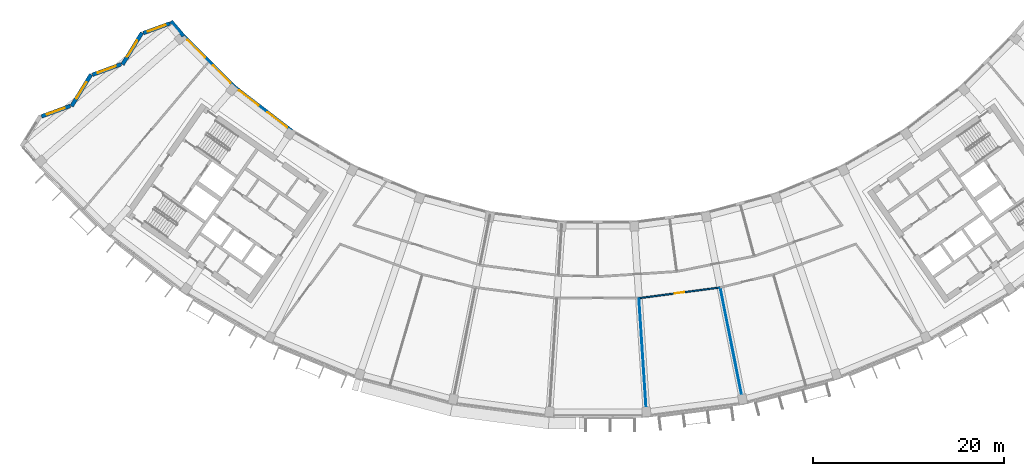
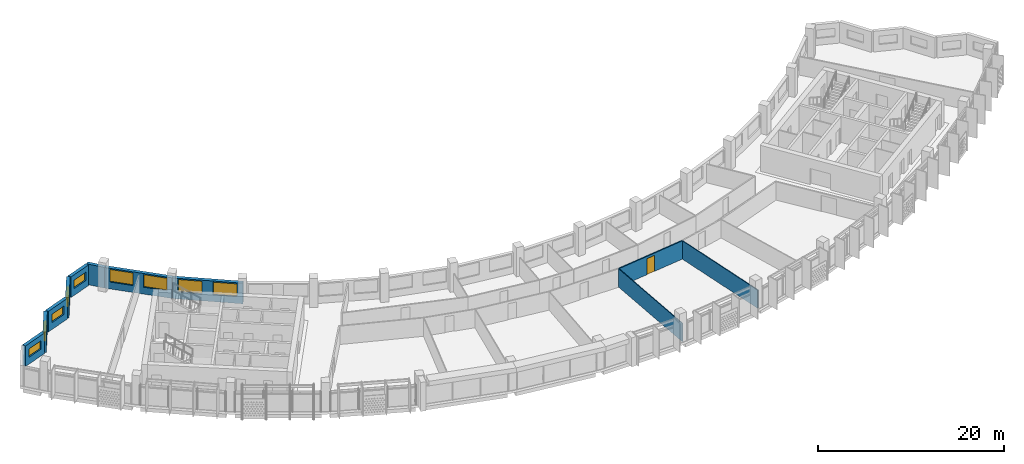
# One storey, part 5 of 27: 11 walls, 9 windows, 1 door, 10 openings.
"""IFC4 building model written with IfcOpenShell, lengths in metres."""

from ifc_helpers import new_model, si_unit, direction, frame, frame_2d, origin, place, context, subcontext, project, spatial, rectangle, extrude, material, layer, layer_set, type_object, element, fill, save


model = new_model("IFC4")

# Units and contexts
model_context = context("Model", 3, precision=1e-05, world=origin(), true_north=direction((0.0, 1.0)))
body_context = subcontext(model_context, "Body", "Model", "MODEL_VIEW")
ifc_project = project(units=[si_unit("LENGTHUNIT", "METRE"), si_unit("AREAUNIT", "SQUARE_METRE"), si_unit("VOLUMEUNIT", "CUBIC_METRE"), si_unit("PLANEANGLEUNIT", "RADIAN"), si_unit("MASSUNIT", "GRAM", prefix="KILO")], contexts=[model_context])

# Site, building, storey
site_placement = place(None, origin())
site = spatial("IfcSite", under=ifc_project, at=site_placement, CompositionType="ELEMENT")
building_placement = place(site_placement, origin())
building = spatial("IfcBuilding", under=site, at=building_placement, Name="Qamariyya Broadcast Tower", CompositionType="ELEMENT")
storey_placement = place(building_placement, frame((0.0, 0.0, 280.89990234375)))
storey = spatial("IfcBuildingStorey", under=building, at=storey_placement, Name="L68", CompositionType="ELEMENT", Elevation=280.89990234375)

# Wall, opening, door
ifc_material_1 = material(Name="Gypsum board partition")
ifc_layer_1 = layer(ifc_material_1, 0.14990234375)
ifc_layer_set_1 = layer_set([ifc_layer_1], Name="Corridor partition 150 EI 60")
wall_type_1 = type_object("IfcWallType", Name="Corridor partition 150 EI 60", PredefinedType="PARTITIONING", material=ifc_layer_set_1)
wall_1_placement = place(storey_placement, frame((12.8369140625, -64.53564453125, 0.0), z_axis=(0.0, 0.0, 1.0), x_axis=(-0.991443575654, -0.130535957862, 0.0)))
wall_1 = element("IfcWall", 1, at=wall_1_placement, inside=storey, type_object=wall_type_1, Name="Partition L68-018", PredefinedType="PARTITIONING", context=body_context, shape_type="SweptSolid", body=[
    extrude(rectangle(XDim=8.607177734375, YDim=0.14990234375, at=frame_2d((4.3037109375, 0.0))), origin(), (0.0, 0.0, 1.0), 2.400146484375),
])
opening_1_placement = place(wall_1_placement, frame((3.803466796875, 0.0, 0.0)))
opening_1 = element("IfcOpeningElement", 2, at=opening_1_placement, cuts=wall_1, Name="Opening L68-D05", PredefinedType="OPENING", context=body_context, shape_type="SweptSolid", body=[
    extrude(rectangle(XDim=1.0, YDim=2.10009765625, at=frame_2d((0.5, 1.050048828125))), frame((0.0, 0.0849609375, 0.0), z_axis=(0.0, -1.0, 0.0), x_axis=(1.0, 0.0, 0.0)), (0.0, 0.0, 1.0), 0.169921875),
])
ifc_material_2 = material(Name="Timber fire door leaf", Category="wood")
door_type = type_object("IfcDoorType", Name="Fire door 1000 x 2100 FD60", OperationType="NOTDEFINED", PredefinedType="DOOR", material=ifc_material_2)
door_placement = place(opening_1_placement, origin())
door = element("IfcDoor", 3, at=door_placement, inside=storey, type_object=door_type, Name="Door L68-D05", OperationType="SINGLE_SWING_RIGHT", OverallHeight=2.10009765625, OverallWidth=1.0, PredefinedType="DOOR", context=body_context, shape_type="SweptSolid", body=[
    extrude(rectangle(XDim=1.0, YDim=2.10009765625, at=frame_2d((0.5, 1.050048828125))), frame((0.0, 0.02490234375, 0.0), z_axis=(0.0, -1.0, 0.0), x_axis=(1.0, 0.0, 0.0)), (0.0, 0.0, 1.0), 0.050048828125),
])
fill(opening_1, door)

# Walls
ifc_layer_2 = layer(ifc_material_1, 0.10009765625)
ifc_layer_set_2 = layer_set([ifc_layer_2], Name="Partition 100")
wall_type_2 = type_object("IfcWallType", Name="Partition 100", PredefinedType="PARTITIONING", material=ifc_layer_set_2)
for number, where, z_axis, x_axis, name in (
    (4, (5.111328125, -77.982666015625, 0.0), (0.0, 0.0, 1.0), (-0.065415386497, 0.997858119779, 0.0), "Partition L68-019"),
    (5, (15.246337890625, -76.6484375, 0.0), (0.0, 0.0, 1.0), (-0.195090980681, 0.980785149386, 0.0), "Partition L68-024"),
):
    element("IfcWall", number, at=place(storey_placement, frame(where, z_axis=z_axis, x_axis=x_axis)), inside=storey, type_object=wall_type_2, Name=name, PredefinedType="PARTITIONING", context=body_context, shape_type="SweptSolid", body=[
        extrude(rectangle(XDim=12.275146484375, YDim=0.10009765625, at=frame_2d((6.1376953125, 0.0))), origin(), (0.0, 0.0, 1.0), 2.400146484375),
    ])

# Wall, opening, window
ifc_material_3 = material(Name="Terracotta", Category="masonry")
ifc_layer_3 = layer(ifc_material_3, 0.39990234375)
ifc_layer_set_3 = layer_set([ifc_layer_3], Name="Terracotta clad wall 400")
wall_type_3 = type_object("IfcWallType", Name="Terracotta clad wall 400", PredefinedType="SOLIDWALL", material=ifc_layer_set_3)
wall_2_placement = place(storey_placement, frame((-44.915771484375, -36.829833984375, 0.0), z_axis=(0.0, 0.0, 1.0), x_axis=(-0.939388110095, -0.342855623567, 0.0)))
wall_2 = element("IfcWall", 6, at=wall_2_placement, inside=storey, type_object=wall_type_3, Name="e-wl-L68-capW0", PredefinedType="SOLIDWALL", context=body_context, shape_type="SweptSolid", body=[
    extrude(rectangle(XDim=2.95947265625, YDim=0.39990234375, at=frame_2d((1.479736328125, 0.0))), origin(), (0.0, 0.0, 1.0), 2.7001953125),
])
opening_2_placement = place(wall_2_placement, frame((0.479736328125, 0.0, 0.89990234375)))
opening_2 = element("IfcOpeningElement", 7, at=opening_2_placement, cuts=wall_2, Name="Opening W4", PredefinedType="OPENING", context=body_context, shape_type="SweptSolid", body=[
    extrude(rectangle(XDim=2.0, YDim=1.10009765625, at=frame_2d((1.0, 0.550048828125))), frame((0.0, 0.2099609375, 0.0), z_axis=(0.0, -1.0, 0.0), x_axis=(1.0, 0.0, 0.0)), (0.0, 0.0, 1.0), 0.419921875),
])
ifc_material_4 = material(Name="Clear low-e double glazed unit in aluminium frame", Category="aluminium")
window_type_1 = type_object("IfcWindowType", Name="Horn bay window 2000 x 1100", PartitioningType="SINGLE_PANEL", PredefinedType="WINDOW", material=ifc_material_4)
window_1_placement = place(opening_2_placement, origin())
window_1 = element("IfcWindow", 8, at=window_1_placement, inside=storey, type_object=window_type_1, Name="e-w-L68-capW0", OverallHeight=1.10009765625, OverallWidth=2.0, PartitioningType="SINGLE_PANEL", PredefinedType="WINDOW", context=body_context, shape_type="SweptSolid", body=[
    extrude(rectangle(XDim=2.0, YDim=1.10009765625, at=frame_2d((1.0, 0.550048828125))), frame((0.0, 0.030029296875, 0.0), z_axis=(0.0, -1.0, 0.0), x_axis=(1.0, 0.0, 0.0)), (0.0, 0.0, 1.0), 0.06005859375),
])
fill(opening_2, window_1)

wall_3_placement = place(storey_placement, frame((-47.838623046875, -37.814208984375, 0.0), z_axis=(0.0, 0.0, 1.0), x_axis=(-0.523867698074, -0.85179964482, 0.0)))
wall_3 = element("IfcWall", 9, at=wall_3_placement, inside=storey, type_object=wall_type_3, Name="e-wl-L68-capW1", PredefinedType="SOLIDWALL", context=body_context, shape_type="SweptSolid", body=[
    extrude(rectangle(XDim=3.913818359375, YDim=0.39990234375, at=frame_2d((1.95703125, 0.0))), origin(), (0.0, 0.0, 1.0), 2.7001953125),
])
opening_3_placement = place(wall_3_placement, frame((0.95703125, 0.0, 0.89990234375)))
opening_3 = element("IfcOpeningElement", 10, at=opening_3_placement, cuts=wall_3, Name="Opening W4", PredefinedType="OPENING", context=body_context, shape_type="SweptSolid", body=[
    extrude(rectangle(XDim=2.0, YDim=1.10009765625, at=frame_2d((1.0, 0.550048828125))), frame((0.0, 0.2099609375, 0.0), z_axis=(0.0, -1.0, 0.0), x_axis=(1.0, 0.0, 0.0)), (0.0, 0.0, 1.0), 0.419921875),
])
window_2_placement = place(opening_3_placement, origin())
window_2 = element("IfcWindow", 11, at=window_2_placement, inside=storey, type_object=window_type_1, Name="e-w-L68-capW1", OverallHeight=1.10009765625, OverallWidth=2.0, PartitioningType="SINGLE_PANEL", PredefinedType="WINDOW", context=body_context, shape_type="SweptSolid", body=[
    extrude(rectangle(XDim=2.0, YDim=1.10009765625, at=frame_2d((1.0, 0.550048828125))), frame((0.0, 0.030029296875, 0.0), z_axis=(0.0, -1.0, 0.0), x_axis=(1.0, 0.0, 0.0)), (0.0, 0.0, 1.0), 0.06005859375),
])
fill(opening_3, window_2)

wall_4_placement = place(storey_placement, frame((-50.03173828125, -41.11767578125, 0.0), z_axis=(0.0, 0.0, 1.0), x_axis=(-0.939351466327, -0.34295600696, 0.0)))
wall_4 = element("IfcWall", 12, at=wall_4_placement, inside=storey, type_object=wall_type_3, Name="e-wl-L68-capW2", PredefinedType="SOLIDWALL", context=body_context, shape_type="SweptSolid", body=[
    extrude(rectangle(XDim=3.19921875, YDim=0.39990234375, at=frame_2d((1.599609375, 0.0))), origin(), (0.0, 0.0, 1.0), 2.7001953125),
])
opening_4_placement = place(wall_4_placement, frame((0.599609375, 0.0, 0.89990234375)))
opening_4 = element("IfcOpeningElement", 13, at=opening_4_placement, cuts=wall_4, Name="Opening W4", PredefinedType="OPENING", context=body_context, shape_type="SweptSolid", body=[
    extrude(rectangle(XDim=2.0, YDim=1.10009765625, at=frame_2d((1.0, 0.550048828125))), frame((0.0, 0.2099609375, 0.0), z_axis=(0.0, -1.0, 0.0), x_axis=(1.0, 0.0, 0.0)), (0.0, 0.0, 1.0), 0.419921875),
])
window_3_placement = place(opening_4_placement, origin())
window_3 = element("IfcWindow", 14, at=window_3_placement, inside=storey, type_object=window_type_1, Name="e-w-L68-capW2", OverallHeight=1.10009765625, OverallWidth=2.0, PartitioningType="SINGLE_PANEL", PredefinedType="WINDOW", context=body_context, shape_type="SweptSolid", body=[
    extrude(rectangle(XDim=2.0, YDim=1.10009765625, at=frame_2d((1.0, 0.550048828125))), frame((0.0, 0.030029296875, 0.0), z_axis=(0.0, -1.0, 0.0), x_axis=(1.0, 0.0, 0.0)), (0.0, 0.0, 1.0), 0.06005859375),
])
fill(opening_4, window_3)

wall_5_placement = place(storey_placement, frame((-53.1796875, -42.184326171875, 0.0), z_axis=(0.0, 0.0, 1.0), x_axis=(-0.523742291876, -0.851876758516, 0.0)))
wall_5 = element("IfcWall", 15, at=wall_5_placement, inside=storey, type_object=wall_type_3, Name="e-wl-L68-capW3", PredefinedType="SOLIDWALL", context=body_context, shape_type="SweptSolid", body=[
    extrude(rectangle(XDim=3.912841796875, YDim=0.39990234375, at=frame_2d((1.95654296875, 0.0))), origin(), (0.0, 0.0, 1.0), 2.7001953125),
])
opening_5_placement = place(wall_5_placement, frame((0.956298828125, 0.0, 0.89990234375)))
opening_5 = element("IfcOpeningElement", 16, at=opening_5_placement, cuts=wall_5, Name="Opening W4", PredefinedType="OPENING", context=body_context, shape_type="SweptSolid", body=[
    extrude(rectangle(XDim=2.0, YDim=1.10009765625, at=frame_2d((1.0, 0.550048828125))), frame((0.0, 0.2099609375, 0.0), z_axis=(0.0, -1.0, 0.0), x_axis=(1.0, 0.0, 0.0)), (0.0, 0.0, 1.0), 0.419921875),
])
window_4_placement = place(opening_5_placement, origin())
window_4 = element("IfcWindow", 17, at=window_4_placement, inside=storey, type_object=window_type_1, Name="e-w-L68-capW3", OverallHeight=1.10009765625, OverallWidth=2.0, PartitioningType="SINGLE_PANEL", PredefinedType="WINDOW", context=body_context, shape_type="SweptSolid", body=[
    extrude(rectangle(XDim=2.0, YDim=1.10009765625, at=frame_2d((1.0, 0.550048828125))), frame((0.0, 0.030029296875, 0.0), z_axis=(0.0, -1.0, 0.0), x_axis=(1.0, 0.0, 0.0)), (0.0, 0.0, 1.0), 0.06005859375),
])
fill(opening_5, window_4)

wall_6_placement = place(storey_placement, frame((-55.371826171875, -45.487060546875, 0.0), z_axis=(0.0, 0.0, 1.0), x_axis=(-0.939304643995, -0.343084225475, 0.0)))
wall_6 = element("IfcWall", 18, at=wall_6_placement, inside=storey, type_object=wall_type_3, Name="e-wl-L68-capW4", PredefinedType="SOLIDWALL", context=body_context, shape_type="SweptSolid", body=[
    extrude(rectangle(XDim=3.2001953125, YDim=0.39990234375, at=frame_2d((1.60009765625, 0.0))), origin(), (0.0, 0.0, 1.0), 2.7001953125),
])
opening_6_placement = place(wall_6_placement, frame((0.60009765625, 0.0, 0.89990234375)))
opening_6 = element("IfcOpeningElement", 19, at=opening_6_placement, cuts=wall_6, Name="Opening W4", PredefinedType="OPENING", context=body_context, shape_type="SweptSolid", body=[
    extrude(rectangle(XDim=2.0, YDim=1.10009765625, at=frame_2d((1.0, 0.550048828125))), frame((0.0, 0.2099609375, 0.0), z_axis=(0.0, -1.0, 0.0), x_axis=(1.0, 0.0, 0.0)), (0.0, 0.0, 1.0), 0.419921875),
])
window_5_placement = place(opening_6_placement, origin())
window_5 = element("IfcWindow", 20, at=window_5_placement, inside=storey, type_object=window_type_1, Name="e-w-L68-capW4", OverallHeight=1.10009765625, OverallWidth=2.0, PartitioningType="SINGLE_PANEL", PredefinedType="WINDOW", context=body_context, shape_type="SweptSolid", body=[
    extrude(rectangle(XDim=2.0, YDim=1.10009765625, at=frame_2d((1.0, 0.550048828125))), frame((0.0, 0.030029296875, 0.0), z_axis=(0.0, -1.0, 0.0), x_axis=(1.0, 0.0, 0.0)), (0.0, 0.0, 1.0), 0.06005859375),
])
fill(opening_6, window_5)

# Wall
wall_7_placement = place(storey_placement, frame((-43.481201171875, -38.158203125, 0.0), z_axis=(0.0, 0.0, 1.0), x_axis=(-0.646452005478, 0.762954654363, 0.0)))
element("IfcWall", 21, at=wall_7_placement, inside=storey, type_object=wall_type_3, Name="e-wl-L68-in00", PredefinedType="SOLIDWALL", context=body_context, shape_type="SweptSolid", body=[
    extrude(rectangle(XDim=2.0390625, YDim=0.39990234375, at=frame_2d((1.01953125, 0.0))), origin(), (0.0, 0.0, 1.0), 2.7001953125),
])

# Wall, openings, windows
wall_8_placement = place(storey_placement, frame((-38.17919921875, -43.45849609375, 0.0), z_axis=(0.0, 0.0, 1.0), x_axis=(-0.707106781187, 0.707106781187, 0.0)))
wall_8 = element("IfcWall", 22, at=wall_8_placement, inside=storey, type_object=wall_type_3, Name="e-wl-L68-in10", PredefinedType="SOLIDWALL", context=body_context, shape_type="SweptSolid", body=[
    extrude(rectangle(XDim=7.48046875, YDim=0.39990234375, at=frame_2d((3.740234375, 0.0))), origin(), (0.0, 0.0, 1.0), 2.7001953125),
])
opening_7_placement = place(wall_8_placement, frame((4.318115234375, 0.0, 0.89990234375)))
opening_7 = element("IfcOpeningElement", 23, at=opening_7_placement, cuts=wall_8, Name="Opening W1", PredefinedType="OPENING", context=body_context, shape_type="SweptSolid", body=[
    extrude(rectangle(XDim=2.60009765625, YDim=1.64990234375, at=frame_2d((1.300048828125, 0.824951171875))), frame((0.0, 0.2099609375, 0.0), z_axis=(0.0, -1.0, 0.0), x_axis=(1.0, 0.0, 0.0)), (0.0, 0.0, 1.0), 0.419921875),
])
opening_8_placement = place(wall_8_placement, frame((0.547607421875, 0.0, 0.89990234375)))
opening_8 = element("IfcOpeningElement", 24, at=opening_8_placement, cuts=wall_8, Name="Opening W1", PredefinedType="OPENING", context=body_context, shape_type="SweptSolid", body=[
    extrude(rectangle(XDim=2.60009765625, YDim=1.64990234375, at=frame_2d((1.300048828125, 0.824951171875))), frame((0.0, 0.2099609375, 0.0), z_axis=(0.0, -1.0, 0.0), x_axis=(1.0, 0.0, 0.0)), (0.0, 0.0, 1.0), 0.419921875),
])
window_type_2 = type_object("IfcWindowType", Name="Ribbon window 2600 x 1650", PartitioningType="SINGLE_PANEL", PredefinedType="WINDOW", material=ifc_material_4)
window_6_placement = place(opening_7_placement, origin())
window_6 = element("IfcWindow", 25, at=window_6_placement, inside=storey, type_object=window_type_2, Name="e-w-L68-in01-0", OverallHeight=1.64990234375, OverallWidth=2.60009765625, PartitioningType="SINGLE_PANEL", PredefinedType="WINDOW", context=body_context, shape_type="SweptSolid", body=[
    extrude(rectangle(XDim=2.60009765625, YDim=1.64990234375, at=frame_2d((1.300048828125, 0.824951171875))), frame((0.0, 0.030029296875, 0.0), z_axis=(0.0, -1.0, 0.0), x_axis=(1.0, 0.0, 0.0)), (0.0, 0.0, 1.0), 0.06005859375),
])
fill(opening_7, window_6)
window_7_placement = place(opening_8_placement, origin())
window_7 = element("IfcWindow", 26, at=window_7_placement, inside=storey, type_object=window_type_2, Name="e-w-L68-in01-1", OverallHeight=1.64990234375, OverallWidth=2.60009765625, PartitioningType="SINGLE_PANEL", PredefinedType="WINDOW", context=body_context, shape_type="SweptSolid", body=[
    extrude(rectangle(XDim=2.60009765625, YDim=1.64990234375, at=frame_2d((1.300048828125, 0.824951171875))), frame((0.0, 0.030029296875, 0.0), z_axis=(0.0, -1.0, 0.0), x_axis=(1.0, 0.0, 0.0)), (0.0, 0.0, 1.0), 0.06005859375),
])
fill(opening_8, window_7)

wall_9_placement = place(storey_placement, frame((-32.1201171875, -48.1162109375, 0.0), z_axis=(0.0, 0.0, 1.0), x_axis=(-0.793347844099, 0.608768591719, 0.0)))
wall_9 = element("IfcWall", 27, at=wall_9_placement, inside=storey, type_object=wall_type_3, Name="e-wl-L68-in20", PredefinedType="SOLIDWALL", context=body_context, shape_type="SweptSolid", body=[
    extrude(rectangle(XDim=7.617431640625, YDim=0.39990234375, at=frame_2d((3.80859375, 0.0))), origin(), (0.0, 0.0, 1.0), 2.7001953125),
])
opening_9_placement = place(wall_9_placement, frame((4.393798828125, 0.0, 0.89990234375)))
opening_9 = element("IfcOpeningElement", 28, at=opening_9_placement, cuts=wall_9, Name="Opening W1", PredefinedType="OPENING", context=body_context, shape_type="SweptSolid", body=[
    extrude(rectangle(XDim=2.60009765625, YDim=1.64990234375, at=frame_2d((1.300048828125, 0.824951171875))), frame((0.0, 0.2099609375, 0.0), z_axis=(0.0, -1.0, 0.0), x_axis=(1.0, 0.0, 0.0)), (0.0, 0.0, 1.0), 0.419921875),
])
opening_10_placement = place(wall_9_placement, frame((0.623291015625, 0.0, 0.89990234375)))
opening_10 = element("IfcOpeningElement", 29, at=opening_10_placement, cuts=wall_9, Name="Opening W1", PredefinedType="OPENING", context=body_context, shape_type="SweptSolid", body=[
    extrude(rectangle(XDim=2.60009765625, YDim=1.64990234375, at=frame_2d((1.300048828125, 0.824951171875))), frame((0.0, 0.2099609375, 0.0), z_axis=(0.0, -1.0, 0.0), x_axis=(1.0, 0.0, 0.0)), (0.0, 0.0, 1.0), 0.419921875),
])
window_8_placement = place(opening_9_placement, origin())
window_8 = element("IfcWindow", 30, at=window_8_placement, inside=storey, type_object=window_type_2, Name="e-w-L68-in02-0", OverallHeight=1.64990234375, OverallWidth=2.60009765625, PartitioningType="SINGLE_PANEL", PredefinedType="WINDOW", context=body_context, shape_type="SweptSolid", body=[
    extrude(rectangle(XDim=2.60009765625, YDim=1.64990234375, at=frame_2d((1.300048828125, 0.824951171875))), frame((0.0, 0.030029296875, 0.0), z_axis=(0.0, -1.0, 0.0), x_axis=(1.0, 0.0, 0.0)), (0.0, 0.0, 1.0), 0.06005859375),
])
fill(opening_9, window_8)
window_9_placement = place(opening_10_placement, origin())
window_9 = element("IfcWindow", 31, at=window_9_placement, inside=storey, type_object=window_type_2, Name="e-w-L68-in02-1", OverallHeight=1.64990234375, OverallWidth=2.60009765625, PartitioningType="SINGLE_PANEL", PredefinedType="WINDOW", context=body_context, shape_type="SweptSolid", body=[
    extrude(rectangle(XDim=2.60009765625, YDim=1.64990234375, at=frame_2d((1.300048828125, 0.824951171875))), frame((0.0, 0.030029296875, 0.0), z_axis=(0.0, -1.0, 0.0), x_axis=(1.0, 0.0, 0.0)), (0.0, 0.0, 1.0), 0.06005859375),
])
fill(opening_10, window_9)

save(model, "model.ifc")
